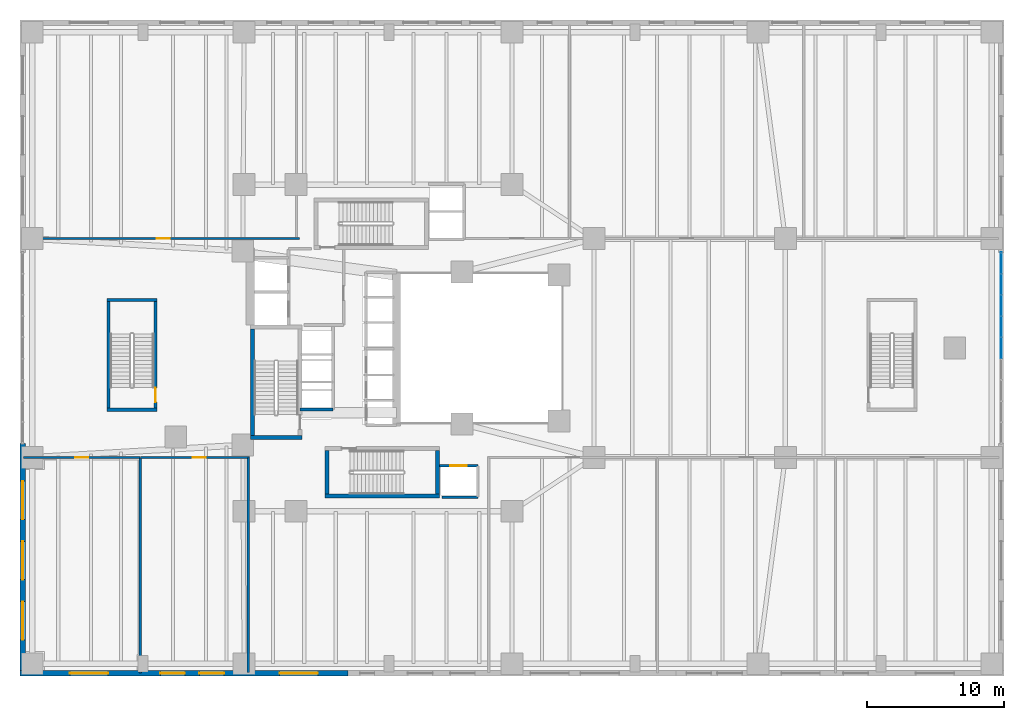
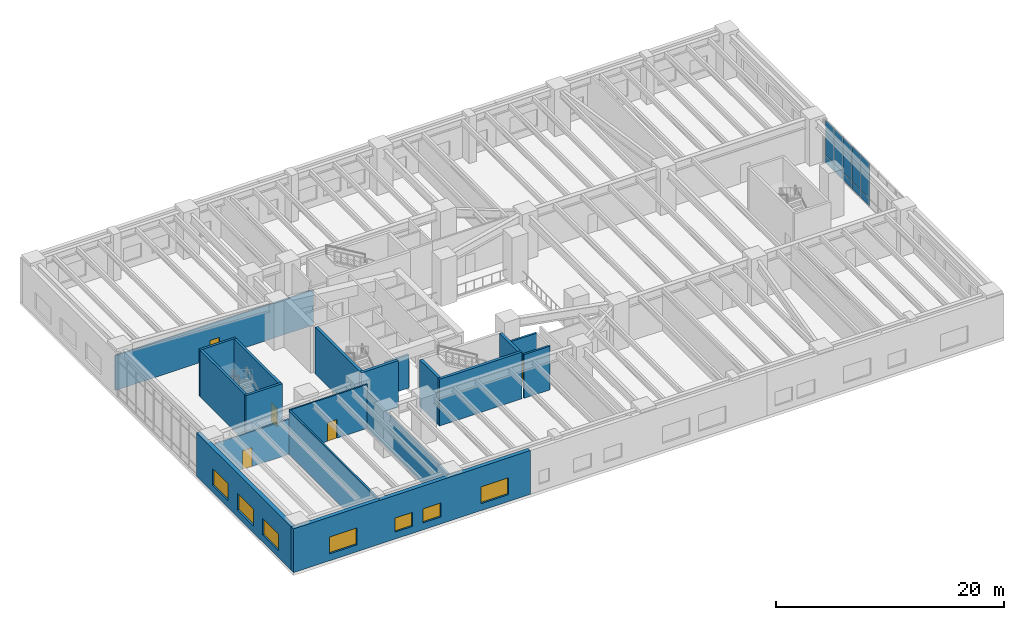
# One storey, part 12 of 18: 19 walls, 15 plates, 7 windows, 5 doors, 12 openings, 1 element without a shape of its own.
"""IFC4 building model written with IfcOpenShell, lengths in metres."""

from ifc_helpers import new_model, si_unit, direction, frame, frame_2d, origin, origin_2d, place, context, subcontext, project, spatial, rectangle, extrude, material, layer, layer_set, type_object, element, fill, aggregate, save


model = new_model("IFC4")

# Units and contexts
model_context = context("Model", 3, precision=1e-05, world=origin(), true_north=direction((0.0, 1.0)))
body_context = subcontext(model_context, "Body", "Model", "MODEL_VIEW")
ifc_project = project(units=[si_unit("LENGTHUNIT", "METRE"), si_unit("AREAUNIT", "SQUARE_METRE"), si_unit("VOLUMEUNIT", "CUBIC_METRE"), si_unit("PLANEANGLEUNIT", "RADIAN"), si_unit("MASSUNIT", "GRAM", prefix="KILO"), si_unit("THERMODYNAMICTEMPERATUREUNIT", "KELVIN"), si_unit("POWERUNIT", "WATT")], contexts=[model_context])

# Site, building, storey
site_placement = place(None, origin())
site = spatial("IfcSite", under=ifc_project, at=site_placement, CompositionType="ELEMENT")
building_placement = place(site_placement, origin())
building = spatial("IfcBuilding", under=site, at=building_placement, Name="Skarre Station Tower", CompositionType="ELEMENT")
storey_placement = place(building_placement, frame((0.0, 0.0, 11.0)))
storey = spatial("IfcBuildingStorey", under=building, at=storey_placement, Name="L03", CompositionType="ELEMENT", Elevation=11.0)

# Curtain wall, plates
ifc_material_1 = material(Name="Thermally Broken Bronze-Anodized Aluminium & Triple Low-E Glass", Category="aluminium")
ifc_layer_1 = layer(ifc_material_1, 0.239990234375, Name="Thermally Broken Bronze-Anodized Aluminium & Triple Low-E Glass")
ifc_layer_set_1 = layer_set([ifc_layer_1], Name="Thermally Broken Bronze-Anodized Aluminium & Triple Low-E Glass")
curtain_wall_type = type_object("IfcCurtainWallType", Name="Station Concourse Monumental Unitised Curtain Wall", PredefinedType="NOTDEFINED", material=ifc_layer_set_1)
curtain_wall_placement = place(storey_placement, origin())
curtain_wall = element("IfcCurtainWall", 1, at=curtain_wall_placement, inside=storey, type_object=curtain_wall_type, Name="L03 East Forum Clerestory Curtain Wall", PredefinedType="NOTDEFINED")
ifc_material_2 = material(Name="Insulated Bronze Anodized Aluminium Spandrel", Category="aluminium")
ifc_layer_2 = layer(ifc_material_2, 0.052001953125, Name="Insulated Bronze Anodized Aluminium Spandrel")
ifc_layer_set_2 = layer_set([ifc_layer_2], Name="Insulated Bronze Anodized Aluminium Spandrel")
plate_type_1 = type_object("IfcPlateType", Name="Bronze Insulated Spandrel Sheet Panel 52", PredefinedType="SHEET", material=ifc_layer_set_2)
plate_1_placement = place(storey_placement, frame((71.800048828125, 30.221923828125, 0.05224609375), z_axis=(0.0, 0.0, 1.0), x_axis=(0.0, -1.0, 0.0)))
plate_1 = element("IfcPlate", 2, at=plate_1_placement, type_object=plate_type_1, Name="L03 East Forum Clerestory Curtain Wall Spandrel Panel 1-1", PredefinedType="SHEET", context=body_context, shape_type="SweptSolid", body=[
    extrude(rectangle(XDim=1.531982421875, YDim=0.052001953125, at=origin_2d()), origin(), (0.0, 0.0, 1.0), 0.785888671875),
])
plate_2_placement = place(storey_placement, frame((71.800048828125, 28.6669921875, 0.05224609375), z_axis=(0.0, 0.0, 1.0), x_axis=(0.0, -1.0, 0.0)))
plate_2 = element("IfcPlate", 3, at=plate_2_placement, type_object=plate_type_1, Name="L03 East Forum Clerestory Curtain Wall Spandrel Panel 2-1", PredefinedType="SHEET", context=body_context, shape_type="SweptSolid", body=[
    extrude(rectangle(XDim=1.531982421875, YDim=0.052001953125, at=origin_2d()), origin(), (0.0, 0.0, 1.0), 0.785888671875),
])
plate_3_placement = place(storey_placement, frame((71.800048828125, 27.111083984375, 0.05224609375), z_axis=(0.0, 0.0, 1.0), x_axis=(0.0, -1.0, 0.0)))
plate_3 = element("IfcPlate", 4, at=plate_3_placement, type_object=plate_type_1, Name="L03 East Forum Clerestory Curtain Wall Spandrel Panel 3-1", PredefinedType="SHEET", context=body_context, shape_type="SweptSolid", body=[
    extrude(rectangle(XDim=1.531982421875, YDim=0.052001953125, at=origin_2d()), origin(), (0.0, 0.0, 1.0), 0.785888671875),
])
plate_4_placement = place(storey_placement, frame((71.800048828125, 25.555908203125, 0.05224609375), z_axis=(0.0, 0.0, 1.0), x_axis=(0.0, -1.0, 0.0)))
plate_4 = element("IfcPlate", 5, at=plate_4_placement, type_object=plate_type_1, Name="L03 East Forum Clerestory Curtain Wall Spandrel Panel 4-1", PredefinedType="SHEET", context=body_context, shape_type="SweptSolid", body=[
    extrude(rectangle(XDim=1.531982421875, YDim=0.052001953125, at=origin_2d()), origin(), (0.0, 0.0, 1.0), 0.785888671875),
])
plate_5_placement = place(storey_placement, frame((71.800048828125, 24.0, 0.05224609375), z_axis=(0.0, 0.0, 1.0), x_axis=(0.0, -1.0, 0.0)))
plate_5 = element("IfcPlate", 6, at=plate_5_placement, type_object=plate_type_1, Name="L03 East Forum Clerestory Curtain Wall Spandrel Panel 5-1", PredefinedType="SHEET", context=body_context, shape_type="SweptSolid", body=[
    extrude(rectangle(XDim=1.531982421875, YDim=0.052001953125, at=origin_2d()), origin(), (0.0, 0.0, 1.0), 0.785888671875),
])
ifc_material_3 = material(Name="Low-Iron Triple Insulating Glass Unit", Category="glass")
ifc_layer_3 = layer(ifc_material_3, 0.0439453125, Name="Low-Iron Triple Insulating Glass Unit")
ifc_layer_set_3 = layer_set([ifc_layer_3], Name="Low-Iron Triple Insulating Glass Unit")
plate_type_2 = type_object("IfcPlateType", Name="Triple-Glazed Vision Curtain Panel 44", PredefinedType="CURTAIN_PANEL", material=ifc_layer_set_3)
plate_6_placement = place(storey_placement, frame((71.800048828125, 30.221923828125, 0.862060546875), z_axis=(0.0, 0.0, 1.0), x_axis=(0.0, -1.0, 0.0)))
plate_6 = element("IfcPlate", 7, at=plate_6_placement, type_object=plate_type_2, Name="L03 East Forum Clerestory Curtain Wall Vision Panel 1-2", PredefinedType="CURTAIN_PANEL", context=body_context, shape_type="SweptSolid", body=[
    extrude(rectangle(XDim=1.531982421875, YDim=0.0439453125, at=origin_2d()), origin(), (0.0, 0.0, 1.0), 2.916015625),
])
plate_7_placement = place(storey_placement, frame((71.800048828125, 30.221923828125, 3.802001953125), z_axis=(0.0, 0.0, 1.0), x_axis=(0.0, -1.0, 0.0)))
plate_7 = element("IfcPlate", 8, at=plate_7_placement, type_object=plate_type_2, Name="L03 East Forum Clerestory Curtain Wall Vision Panel 1-3", PredefinedType="CURTAIN_PANEL", context=body_context, shape_type="SweptSolid", body=[
    extrude(rectangle(XDim=1.531982421875, YDim=0.0439453125, at=origin_2d()), origin(), (0.0, 0.0, 1.0), 0.8359375),
])
plate_8_placement = place(storey_placement, frame((71.800048828125, 28.6669921875, 0.862060546875), z_axis=(0.0, 0.0, 1.0), x_axis=(0.0, -1.0, 0.0)))
plate_8 = element("IfcPlate", 9, at=plate_8_placement, type_object=plate_type_2, Name="L03 East Forum Clerestory Curtain Wall Vision Panel 2-2", PredefinedType="CURTAIN_PANEL", context=body_context, shape_type="SweptSolid", body=[
    extrude(rectangle(XDim=1.531982421875, YDim=0.0439453125, at=origin_2d()), origin(), (0.0, 0.0, 1.0), 2.916015625),
])
plate_9_placement = place(storey_placement, frame((71.800048828125, 28.6669921875, 3.802001953125), z_axis=(0.0, 0.0, 1.0), x_axis=(0.0, -1.0, 0.0)))
plate_9 = element("IfcPlate", 10, at=plate_9_placement, type_object=plate_type_2, Name="L03 East Forum Clerestory Curtain Wall Vision Panel 2-3", PredefinedType="CURTAIN_PANEL", context=body_context, shape_type="SweptSolid", body=[
    extrude(rectangle(XDim=1.531982421875, YDim=0.0439453125, at=origin_2d()), origin(), (0.0, 0.0, 1.0), 0.8359375),
])
plate_10_placement = place(storey_placement, frame((71.800048828125, 27.111083984375, 0.862060546875), z_axis=(0.0, 0.0, 1.0), x_axis=(0.0, -1.0, 0.0)))
plate_10 = element("IfcPlate", 11, at=plate_10_placement, type_object=plate_type_2, Name="L03 East Forum Clerestory Curtain Wall Vision Panel 3-2", PredefinedType="CURTAIN_PANEL", context=body_context, shape_type="SweptSolid", body=[
    extrude(rectangle(XDim=1.531982421875, YDim=0.0439453125, at=origin_2d()), origin(), (0.0, 0.0, 1.0), 2.916015625),
])
plate_11_placement = place(storey_placement, frame((71.800048828125, 27.111083984375, 3.802001953125), z_axis=(0.0, 0.0, 1.0), x_axis=(0.0, -1.0, 0.0)))
plate_11 = element("IfcPlate", 12, at=plate_11_placement, type_object=plate_type_2, Name="L03 East Forum Clerestory Curtain Wall Vision Panel 3-3", PredefinedType="CURTAIN_PANEL", context=body_context, shape_type="SweptSolid", body=[
    extrude(rectangle(XDim=1.531982421875, YDim=0.0439453125, at=origin_2d()), origin(), (0.0, 0.0, 1.0), 0.8359375),
])
plate_12_placement = place(storey_placement, frame((71.800048828125, 25.555908203125, 0.862060546875), z_axis=(0.0, 0.0, 1.0), x_axis=(0.0, -1.0, 0.0)))
plate_12 = element("IfcPlate", 13, at=plate_12_placement, type_object=plate_type_2, Name="L03 East Forum Clerestory Curtain Wall Vision Panel 4-2", PredefinedType="CURTAIN_PANEL", context=body_context, shape_type="SweptSolid", body=[
    extrude(rectangle(XDim=1.531982421875, YDim=0.0439453125, at=origin_2d()), origin(), (0.0, 0.0, 1.0), 2.916015625),
])
plate_13_placement = place(storey_placement, frame((71.800048828125, 25.555908203125, 3.802001953125), z_axis=(0.0, 0.0, 1.0), x_axis=(0.0, -1.0, 0.0)))
plate_13 = element("IfcPlate", 14, at=plate_13_placement, type_object=plate_type_2, Name="L03 East Forum Clerestory Curtain Wall Vision Panel 4-3", PredefinedType="CURTAIN_PANEL", context=body_context, shape_type="SweptSolid", body=[
    extrude(rectangle(XDim=1.531982421875, YDim=0.0439453125, at=origin_2d()), origin(), (0.0, 0.0, 1.0), 0.8359375),
])
plate_14_placement = place(storey_placement, frame((71.800048828125, 24.0, 0.862060546875), z_axis=(0.0, 0.0, 1.0), x_axis=(0.0, -1.0, 0.0)))
plate_14 = element("IfcPlate", 15, at=plate_14_placement, type_object=plate_type_2, Name="L03 East Forum Clerestory Curtain Wall Vision Panel 5-2", PredefinedType="CURTAIN_PANEL", context=body_context, shape_type="SweptSolid", body=[
    extrude(rectangle(XDim=1.531982421875, YDim=0.0439453125, at=origin_2d()), origin(), (0.0, 0.0, 1.0), 2.916015625),
])
plate_15_placement = place(storey_placement, frame((71.800048828125, 24.0, 3.802001953125), z_axis=(0.0, 0.0, 1.0), x_axis=(0.0, -1.0, 0.0)))
plate_15 = element("IfcPlate", 16, at=plate_15_placement, type_object=plate_type_2, Name="L03 East Forum Clerestory Curtain Wall Vision Panel 5-3", PredefinedType="CURTAIN_PANEL", context=body_context, shape_type="SweptSolid", body=[
    extrude(rectangle(XDim=1.531982421875, YDim=0.0439453125, at=origin_2d()), origin(), (0.0, 0.0, 1.0), 0.8359375),
])
aggregate(curtain_wall, [plate_1, plate_6, plate_7, plate_2, plate_8, plate_9, plate_3, plate_10, plate_11, plate_4, plate_12, plate_13, plate_5, plate_14, plate_15])

# Wall, opening, door
ifc_material_4 = material(Name="Acoustic Steel-Stud Gypsum Partition", Category="steel")
ifc_layer_4 = layer(ifc_material_4, 0.14990234375, Name="Acoustic Steel-Stud Gypsum Partition")
ifc_layer_set_4 = layer_set([ifc_layer_4], Name="Acoustic Steel-Stud Gypsum Partition")
wall_type_1 = type_object("IfcWallType", Name="Fire-Rated Corridor Acoustic Partition 150", PredefinedType="PARTITIONING", material=ifc_layer_set_4)
wall_1_placement = place(storey_placement, frame((0.239990234375, 15.97998046875, 0.0), z_axis=(0.0, 0.0, 1.0), x_axis=(1.0, 0.0, 0.0)))
wall_1 = element("IfcWall", 17, at=wall_1_placement, inside=storey, type_object=wall_type_1, Name="L03 Interior Partition WL-PT-L03-PDSW1-CW", PredefinedType="PARTITIONING", context=body_context, shape_type="SweptSolid", body=[
    extrude(rectangle(XDim=8.532958984375, YDim=0.14990234375, at=frame_2d((4.2666015625, 0.0))), origin(), (0.0, 0.0, 1.0), 3.741943359375),
])
opening_1_placement = place(wall_1_placement, frame((3.787109375, 0.0, 0.0)))
opening_1 = element("IfcOpeningElement", 18, at=opening_1_placement, cuts=wall_1, Name="Opening DR-FD60", PredefinedType="OPENING", context=body_context, shape_type="SweptSolid", body=[
    extrude(rectangle(XDim=0.9599609375, YDim=2.0, at=frame_2d((0.47998046875, 1.0))), frame((0.0, 0.0849609375, 0.0), z_axis=(0.0, -1.0, 0.0), x_axis=(1.0, 0.0, 0.0)), (0.0, 0.0, 1.0), 0.169921875),
])
ifc_material_5 = material(Name="Nordic White-Oak Veneer Solid-Core Fire Leaf", Category="wood")
door_type_1 = type_object("IfcDoorType", Name="Corridor Suite Entry Fire Door FD60 960x2150", OperationType="SINGLE_SWING_LEFT", PredefinedType="DOOR", material=ifc_material_5)
door_1_placement = place(opening_1_placement, origin())
door_1 = element("IfcDoor", 19, at=door_1_placement, inside=storey, type_object=door_type_1, Name="L03 PDSW1 Entry Door", OperationType="SINGLE_SWING_LEFT", OverallHeight=2.0, OverallWidth=0.9599609375, PredefinedType="DOOR", context=body_context, shape_type="SweptSolid", body=[
    extrude(rectangle(XDim=0.9599609375, YDim=2.0, at=frame_2d((0.47998046875, 1.0))), frame((0.0, 0.02490234375, 0.0), z_axis=(0.0, -1.0, 0.0), x_axis=(1.0, 0.0, 0.0)), (0.0, 0.0, 1.0), 0.050048828125),
])
fill(opening_1, door_1)

wall_2_placement = place(storey_placement, frame((8.824951171875, 15.97998046875, 0.0), z_axis=(0.0, 0.0, 1.0), x_axis=(1.0, 0.0, 0.0)))
wall_2 = element("IfcWall", 20, at=wall_2_placement, inside=storey, type_object=wall_type_1, Name="L03 Interior Partition WL-PT-L03-PDSW2-CW", PredefinedType="PARTITIONING", context=body_context, shape_type="SweptSolid", body=[
    extrude(rectangle(XDim=7.875, YDim=0.14990234375, at=frame_2d((3.9375, 0.0))), origin(), (0.0, 0.0, 1.0), 4.68994140625),
])
opening_2_placement = place(wall_2_placement, frame((3.80810546875, 0.0, 0.0)))
opening_2 = element("IfcOpeningElement", 21, at=opening_2_placement, cuts=wall_2, Name="Opening DR-FD60", PredefinedType="OPENING", context=body_context, shape_type="SweptSolid", body=[
    extrude(rectangle(XDim=0.9599609375, YDim=2.0, at=frame_2d((0.47998046875, 1.0))), frame((0.0, 0.0849609375, 0.0), z_axis=(0.0, -1.0, 0.0), x_axis=(1.0, 0.0, 0.0)), (0.0, 0.0, 1.0), 0.169921875),
])
door_2_placement = place(opening_2_placement, origin())
door_2 = element("IfcDoor", 22, at=door_2_placement, inside=storey, type_object=door_type_1, Name="L03 PDSW2 Entry Door", OperationType="SINGLE_SWING_LEFT", OverallHeight=2.0, OverallWidth=0.9599609375, PredefinedType="DOOR", context=body_context, shape_type="SweptSolid", body=[
    extrude(rectangle(XDim=0.9599609375, YDim=2.0, at=frame_2d((0.47998046875, 1.0))), frame((0.0, 0.02490234375, 0.0), z_axis=(0.0, -1.0, 0.0), x_axis=(1.0, 0.0, 0.0)), (0.0, 0.0, 1.0), 0.050048828125),
])
fill(opening_2, door_2)

wall_3_placement = place(storey_placement, frame((20.449951171875, 32.02001953125, 0.0), z_axis=(0.0, 0.0, 1.0), x_axis=(-1.0, 0.0, 0.0)))
wall_3 = element("IfcWall", 23, at=wall_3_placement, inside=storey, type_object=wall_type_1, Name="L03 Interior Partition WL-PT-L03-PDN1-CW", PredefinedType="PARTITIONING", context=body_context, shape_type="SweptSolid", body=[
    extrude(rectangle(XDim=20.054931640625, YDim=0.14990234375, at=frame_2d((10.02734375, 0.0))), origin(), (0.0, 0.0, 1.0), 3.741943359375),
])
opening_3_placement = place(wall_3_placement, frame((9.5, 0.0, 0.0)))
opening_3 = element("IfcOpeningElement", 24, at=opening_3_placement, cuts=wall_3, Name="Opening DR-FD60", PredefinedType="OPENING", context=body_context, shape_type="SweptSolid", body=[
    extrude(rectangle(XDim=0.9599609375, YDim=2.0, at=frame_2d((0.47998046875, 1.0))), frame((0.0, 0.0849609375, 0.0), z_axis=(0.0, -1.0, 0.0), x_axis=(1.0, 0.0, 0.0)), (0.0, 0.0, 1.0), 0.169921875),
])
door_3_placement = place(opening_3_placement, origin())
door_3 = element("IfcDoor", 25, at=door_3_placement, inside=storey, type_object=door_type_1, Name="L03 PDN1 Entry Door", OperationType="SINGLE_SWING_LEFT", OverallHeight=2.0, OverallWidth=0.9599609375, PredefinedType="DOOR", context=body_context, shape_type="SweptSolid", body=[
    extrude(rectangle(XDim=0.9599609375, YDim=2.0, at=frame_2d((0.47998046875, 1.0))), frame((0.0, 0.02490234375, 0.0), z_axis=(0.0, -1.0, 0.0), x_axis=(1.0, 0.0, 0.0)), (0.0, 0.0, 1.0), 0.050048828125),
])
fill(opening_3, door_3)

# Wall, openings, windows
ifc_material_6 = material(Name="Precast concrete C45/55", Category="concrete")
ifc_layer_5 = layer(ifc_material_6, 0.39990234375, Name="Precast concrete C45/55")
ifc_layer_set_5 = layer_set([ifc_layer_5], Name="Precast concrete C45/55")
wall_type_2 = type_object("IfcWallType", Name="Nordic Granite Station Podium Wall 400", PredefinedType="STANDARD", material=ifc_layer_set_5)
wall_4_placement = place(storey_placement, frame((24.0, 0.199951171875, 0.0), z_axis=(0.0, 0.0, 1.0), x_axis=(-1.0, 0.0, 0.0)))
wall_4 = element("IfcWall", 26, at=wall_4_placement, inside=storey, type_object=wall_type_2, Name="L03 South Podium Granite Wall SC", PredefinedType="STANDARD", context=body_context, shape_type="SweptSolid", body=[
    extrude(rectangle(XDim=24.0, YDim=0.39990234375, at=frame_2d((12.0, 0.0))), origin(), (0.0, 0.0, 1.0), 4.68994140625),
])
opening_4_placement = place(wall_4_placement, frame((2.205078125, 0.0, 0.75)))
opening_4 = element("IfcOpeningElement", 27, at=opening_4_placement, cuts=wall_4, Name="Opening WN-POD", PredefinedType="OPENING", context=body_context, shape_type="SweptSolid", body=[
    extrude(rectangle(XDim=2.800048828125, YDim=1.800048828125, at=frame_2d((1.39990234375, 0.89990234375))), frame((0.0, 0.2099609375, 0.0), z_axis=(0.0, -1.0, 0.0), x_axis=(1.0, 0.0, 0.0)), (0.0, 0.0, 1.0), 0.419921875),
])
opening_5_placement = place(wall_4_placement, frame((9.070068359375, 0.0, 0.75)))
opening_5 = element("IfcOpeningElement", 28, at=opening_5_placement, cuts=wall_4, Name="Opening WN-Z1A", PredefinedType="OPENING", context=body_context, shape_type="SweptSolid", body=[
    extrude(rectangle(XDim=1.800048828125, YDim=1.5, at=frame_2d((0.89990234375, 0.75))), frame((0.0, 0.2099609375, 0.0), z_axis=(0.0, -1.0, 0.0), x_axis=(1.0, 0.0, 0.0)), (0.0, 0.0, 1.0), 0.419921875),
])
opening_6_placement = place(wall_4_placement, frame((11.929931640625, 0.0, 0.75)))
opening_6 = element("IfcOpeningElement", 29, at=opening_6_placement, cuts=wall_4, Name="Opening WN-Z1A", PredefinedType="OPENING", context=body_context, shape_type="SweptSolid", body=[
    extrude(rectangle(XDim=1.800048828125, YDim=1.5, at=frame_2d((0.89990234375, 0.75))), frame((0.0, 0.2099609375, 0.0), z_axis=(0.0, -1.0, 0.0), x_axis=(1.0, 0.0, 0.0)), (0.0, 0.0, 1.0), 0.419921875),
])
opening_7_placement = place(wall_4_placement, frame((17.550048828125, 0.0, 0.75)))
opening_7 = element("IfcOpeningElement", 30, at=opening_7_placement, cuts=wall_4, Name="Opening WN-POD", PredefinedType="OPENING", context=body_context, shape_type="SweptSolid", body=[
    extrude(rectangle(XDim=2.800048828125, YDim=1.800048828125, at=frame_2d((1.39990234375, 0.89990234375))), frame((0.0, 0.2099609375, 0.0), z_axis=(0.0, -1.0, 0.0), x_axis=(1.0, 0.0, 0.0)), (0.0, 0.0, 1.0), 0.419921875),
])
ifc_material_7 = material(Name="Low-Iron Triple Glazing with Bronze Anodized Frame", Category="glass")
window_type_1 = type_object("IfcWindowType", Name="Nordic Punched Triple-Glazed Window 1800x1500", PartitioningType="SINGLE_PANEL", PredefinedType="WINDOW", material=ifc_material_7)
window_1_placement = place(opening_5_placement, origin())
window_1 = element("IfcWindow", 31, at=window_1_placement, inside=storey, type_object=window_type_1, Name="L03 Facade Window WL-POD-L03-SC-2", OverallHeight=1.5, OverallWidth=1.800048828125, PartitioningType="SINGLE_PANEL", PredefinedType="WINDOW", context=body_context, shape_type="SweptSolid", body=[
    extrude(rectangle(XDim=1.800048828125, YDim=1.5, at=frame_2d((0.89990234375, 0.75))), frame((0.0, 0.030029296875, 0.0), z_axis=(0.0, -1.0, 0.0), x_axis=(1.0, 0.0, 0.0)), (0.0, 0.0, 1.0), 0.06005859375),
])
fill(opening_5, window_1)
window_2_placement = place(opening_6_placement, origin())
window_2 = element("IfcWindow", 32, at=window_2_placement, inside=storey, type_object=window_type_1, Name="L03 Facade Window WL-POD-L03-SC-3", OverallHeight=1.5, OverallWidth=1.800048828125, PartitioningType="SINGLE_PANEL", PredefinedType="WINDOW", context=body_context, shape_type="SweptSolid", body=[
    extrude(rectangle(XDim=1.800048828125, YDim=1.5, at=frame_2d((0.89990234375, 0.75))), frame((0.0, 0.030029296875, 0.0), z_axis=(0.0, -1.0, 0.0), x_axis=(1.0, 0.0, 0.0)), (0.0, 0.0, 1.0), 0.06005859375),
])
fill(opening_6, window_2)
window_type_2 = type_object("IfcWindowType", Name="Podium Clerestory Ribbon Window 2800x1800", PartitioningType="SINGLE_PANEL", PredefinedType="WINDOW", material=ifc_material_7)
window_3_placement = place(opening_4_placement, origin())
window_3 = element("IfcWindow", 33, at=window_3_placement, inside=storey, type_object=window_type_2, Name="L03 Facade Window WL-POD-L03-SC-1", OverallHeight=1.800048828125, OverallWidth=2.800048828125, PartitioningType="SINGLE_PANEL", PredefinedType="WINDOW", context=body_context, shape_type="SweptSolid", body=[
    extrude(rectangle(XDim=2.800048828125, YDim=1.800048828125, at=frame_2d((1.39990234375, 0.89990234375))), frame((0.0, 0.030029296875, 0.0), z_axis=(0.0, -1.0, 0.0), x_axis=(1.0, 0.0, 0.0)), (0.0, 0.0, 1.0), 0.06005859375),
])
fill(opening_4, window_3)
window_4_placement = place(opening_7_placement, origin())
window_4 = element("IfcWindow", 34, at=window_4_placement, inside=storey, type_object=window_type_2, Name="L03 Facade Window WL-POD-L03-SC-4", OverallHeight=1.800048828125, OverallWidth=2.800048828125, PartitioningType="SINGLE_PANEL", PredefinedType="WINDOW", context=body_context, shape_type="SweptSolid", body=[
    extrude(rectangle(XDim=2.800048828125, YDim=1.800048828125, at=frame_2d((1.39990234375, 0.89990234375))), frame((0.0, 0.030029296875, 0.0), z_axis=(0.0, -1.0, 0.0), x_axis=(1.0, 0.0, 0.0)), (0.0, 0.0, 1.0), 0.06005859375),
])
fill(opening_7, window_4)

wall_5_placement = place(storey_placement, frame((0.199951171875, 0.39990234375, 0.0), z_axis=(0.0, 0.0, 1.0), x_axis=(0.0, 1.0, 0.0)))
wall_5 = element("IfcWall", 35, at=wall_5_placement, inside=storey, type_object=wall_type_2, Name="L03 Podium Granite Wall WA", PredefinedType="STANDARD", context=body_context, shape_type="SweptSolid", body=[
    extrude(rectangle(XDim=16.60009765625, YDim=0.39990234375, at=frame_2d((8.300048828125, 0.0))), origin(), (0.0, 0.0, 1.0), 4.68994140625),
])
opening_8_placement = place(wall_5_placement, frame((2.242919921875, 0.0, 0.75)))
opening_8 = element("IfcOpeningElement", 36, at=opening_8_placement, cuts=wall_5, Name="Opening WN-POD", PredefinedType="OPENING", context=body_context, shape_type="SweptSolid", body=[
    extrude(rectangle(XDim=2.800048828125, YDim=1.800048828125, at=frame_2d((1.39990234375, 0.89990234375))), frame((0.0, 0.2099609375, 0.0), z_axis=(0.0, -1.0, 0.0), x_axis=(1.0, 0.0, 0.0)), (0.0, 0.0, 1.0), 0.419921875),
])
opening_9_placement = place(wall_5_placement, frame((6.64990234375, 0.0, 0.75)))
opening_9 = element("IfcOpeningElement", 37, at=opening_9_placement, cuts=wall_5, Name="Opening WN-POD", PredefinedType="OPENING", context=body_context, shape_type="SweptSolid", body=[
    extrude(rectangle(XDim=2.800048828125, YDim=1.800048828125, at=frame_2d((1.39990234375, 0.89990234375))), frame((0.0, 0.2099609375, 0.0), z_axis=(0.0, -1.0, 0.0), x_axis=(1.0, 0.0, 0.0)), (0.0, 0.0, 1.0), 0.419921875),
])
opening_10_placement = place(wall_5_placement, frame((11.056884765625, 0.0, 0.75)))
opening_10 = element("IfcOpeningElement", 38, at=opening_10_placement, cuts=wall_5, Name="Opening WN-POD", PredefinedType="OPENING", context=body_context, shape_type="SweptSolid", body=[
    extrude(rectangle(XDim=2.800048828125, YDim=1.800048828125, at=frame_2d((1.39990234375, 0.89990234375))), frame((0.0, 0.2099609375, 0.0), z_axis=(0.0, -1.0, 0.0), x_axis=(1.0, 0.0, 0.0)), (0.0, 0.0, 1.0), 0.419921875),
])
window_5_placement = place(opening_8_placement, origin())
window_5 = element("IfcWindow", 39, at=window_5_placement, inside=storey, type_object=window_type_2, Name="L03 Facade Window WL-POD-L03-WA-1", OverallHeight=1.800048828125, OverallWidth=2.800048828125, PartitioningType="SINGLE_PANEL", PredefinedType="WINDOW", context=body_context, shape_type="SweptSolid", body=[
    extrude(rectangle(XDim=2.800048828125, YDim=1.800048828125, at=frame_2d((1.39990234375, 0.89990234375))), frame((0.0, 0.030029296875, 0.0), z_axis=(0.0, -1.0, 0.0), x_axis=(1.0, 0.0, 0.0)), (0.0, 0.0, 1.0), 0.06005859375),
])
fill(opening_8, window_5)
window_6_placement = place(opening_9_placement, origin())
window_6 = element("IfcWindow", 40, at=window_6_placement, inside=storey, type_object=window_type_2, Name="L03 Facade Window WL-POD-L03-WA-2", OverallHeight=1.800048828125, OverallWidth=2.800048828125, PartitioningType="SINGLE_PANEL", PredefinedType="WINDOW", context=body_context, shape_type="SweptSolid", body=[
    extrude(rectangle(XDim=2.800048828125, YDim=1.800048828125, at=frame_2d((1.39990234375, 0.89990234375))), frame((0.0, 0.030029296875, 0.0), z_axis=(0.0, -1.0, 0.0), x_axis=(1.0, 0.0, 0.0)), (0.0, 0.0, 1.0), 0.06005859375),
])
fill(opening_9, window_6)
window_7_placement = place(opening_10_placement, origin())
window_7 = element("IfcWindow", 41, at=window_7_placement, inside=storey, type_object=window_type_2, Name="L03 Facade Window WL-POD-L03-WA-3", OverallHeight=1.800048828125, OverallWidth=2.800048828125, PartitioningType="SINGLE_PANEL", PredefinedType="WINDOW", context=body_context, shape_type="SweptSolid", body=[
    extrude(rectangle(XDim=2.800048828125, YDim=1.800048828125, at=frame_2d((1.39990234375, 0.89990234375))), frame((0.0, 0.030029296875, 0.0), z_axis=(0.0, -1.0, 0.0), x_axis=(1.0, 0.0, 0.0)), (0.0, 0.0, 1.0), 0.06005859375),
])
fill(opening_10, window_7)

# Walls
ifc_material_8 = material(Name="Concrete C50/60", Category="concrete")
ifc_layer_6 = layer(ifc_material_8, 0.239990234375, Name="Concrete C50/60")
ifc_layer_set_6 = layer_set([ifc_layer_6], Name="Concrete C50/60")
wall_type_3 = type_object("IfcWallType", Name="RC Core Shear Wall 240", PredefinedType="SHEAR", material=ifc_layer_set_6)
for number, where, z_axis, x_axis, name in (
    (42, (6.360107421875, 19.47998046875, 0.0), (0.0, 0.0, 1.0), (1.0, 0.0, 0.0), "L03 Podium Stair ST-4 South Shear Wall"),
    (43, (10.0400390625, 27.52001953125, 0.0), (0.0, 0.0, 1.0), (-1.0, 0.0, 0.0), "L03 Podium Stair ST-4 North Shear Wall"),
):
    element("IfcWall", number, at=place(storey_placement, frame(where, z_axis=z_axis, x_axis=x_axis)), inside=storey, type_object=wall_type_3, Name=name, PredefinedType="SHEAR", context=body_context, shape_type="SweptSolid", body=[
        extrude(rectangle(XDim=3.679931640625, YDim=0.239990234375, at=frame_2d((1.83984375, 0.0))), origin(), (0.0, 0.0, 1.0), 5.0),
    ])
wall_6_placement = place(storey_placement, frame((6.47998046875, 27.39990234375, 0.0), z_axis=(0.0, 0.0, 1.0), x_axis=(0.0, -1.0, 0.0)))
element("IfcWall", 44, at=wall_6_placement, inside=storey, type_object=wall_type_3, Name="L03 Podium Stair ST-4 West Shear Wall", PredefinedType="SHEAR", context=body_context, shape_type="SweptSolid", body=[
    extrude(rectangle(XDim=7.7998046875, YDim=0.239990234375, at=frame_2d((3.89990234375, 0.0))), origin(), (0.0, 0.0, 1.0), 5.0),
])

# Wall, opening, door
wall_7_placement = place(storey_placement, frame((9.919921875, 19.60009765625, 0.0), z_axis=(0.0, 0.0, 1.0), x_axis=(0.0, 1.0, 0.0)))
wall_7 = element("IfcWall", 45, at=wall_7_placement, inside=storey, type_object=wall_type_3, Name="L03 Podium Stair ST-4 East Shear Wall", PredefinedType="SHEAR", context=body_context, shape_type="SweptSolid", body=[
    extrude(rectangle(XDim=7.7998046875, YDim=0.239990234375, at=frame_2d((3.89990234375, 0.0))), origin(), (0.0, 0.0, 1.0), 5.0),
])
opening_11_placement = place(wall_7_placement, frame((0.43994140625, 0.0, 0.0)))
opening_11 = element("IfcOpeningElement", 46, at=opening_11_placement, cuts=wall_7, Name="Opening DR-FD90", PredefinedType="OPENING", context=body_context, shape_type="SweptSolid", body=[
    extrude(rectangle(XDim=1.050048828125, YDim=2.0, at=frame_2d((0.52490234375, 1.0))), frame((0.0, 0.1298828125, 0.0), z_axis=(0.0, -1.0, 0.0), x_axis=(1.0, 0.0, 0.0)), (0.0, 0.0, 1.0), 0.260009765625),
])
ifc_material_9 = material(Name="Fire-Rated Insulated Steel Frame & Timber Core Leaf", Category="steel")
door_type_2 = type_object("IfcDoorType", Name="Stair & FSAE Lobby Fire Door FD90 1050x2150", OperationType="SINGLE_SWING_RIGHT", PredefinedType="DOOR", material=ifc_material_9)
door_4_placement = place(opening_11_placement, origin())
door_4 = element("IfcDoor", 47, at=door_4_placement, inside=storey, type_object=door_type_2, Name="L03 Podium Stair ST-4 Exit Door", OperationType="SINGLE_SWING_RIGHT", OverallHeight=2.0, OverallWidth=1.050048828125, PredefinedType="DOOR", context=body_context, shape_type="SweptSolid", body=[
    extrude(rectangle(XDim=1.050048828125, YDim=2.0, at=frame_2d((0.52490234375, 1.0))), frame((0.0, 0.02490234375, 0.0), z_axis=(0.0, -1.0, 0.0), x_axis=(1.0, 0.0, 0.0)), (0.0, 0.0, 1.0), 0.050048828125),
])
fill(opening_11, door_4)

# Walls
ifc_layer_7 = layer(ifc_material_8, 0.280029296875, Name="Concrete C50/60")
ifc_layer_set_7 = layer_set([ifc_layer_7], Name="Concrete C50/60")
wall_type_4 = type_object("IfcWallType", Name="RC Core Shear Wall 280", PredefinedType="SHEAR", material=ifc_layer_set_7)
wall_8_placement = place(storey_placement, frame((16.8701171875, 17.4599609375, 0.0), z_axis=(0.0, 0.0, 1.0), x_axis=(1.0, 0.0, 0.0)))
element("IfcWall", 48, at=wall_8_placement, inside=storey, type_object=wall_type_4, Name="L03 Stair ST-1 South Shear Wall", PredefinedType="SHEAR", context=body_context, shape_type="SweptSolid", body=[
    extrude(rectangle(XDim=3.759765625, YDim=0.280029296875, at=frame_2d((1.8798828125, 0.0))), origin(), (0.0, 0.0, 1.0), 5.0),
])
wall_9_placement = place(storey_placement, frame((17.010009765625, 25.39990234375, 0.0), z_axis=(0.0, 0.0, 1.0), x_axis=(0.0, -1.0, 0.0)))
element("IfcWall", 49, at=wall_9_placement, inside=storey, type_object=wall_type_4, Name="L03 Stair ST-1 West Shear Wall", PredefinedType="SHEAR", context=body_context, shape_type="SweptSolid", body=[
    extrude(rectangle(XDim=7.7998046875, YDim=0.280029296875, at=frame_2d((3.89990234375, 0.0))), origin(), (0.0, 0.0, 1.0), 5.0),
])
wall_10_placement = place(storey_placement, frame((22.320068359375, 13.159912109375, 0.0), z_axis=(0.0, 0.0, 1.0), x_axis=(1.0, 0.0, 0.0)))
element("IfcWall", 50, at=wall_10_placement, inside=storey, type_object=wall_type_4, Name="L03 Stair ST-2 South Shear Wall", PredefinedType="SHEAR", context=body_context, shape_type="SweptSolid", body=[
    extrude(rectangle(XDim=8.35986328125, YDim=0.280029296875, at=frame_2d((4.179931640625, 0.0))), origin(), (0.0, 0.0, 1.0), 5.0),
])
for number, where, z_axis, x_axis, name in (
    (51, (22.4599609375, 16.5, 0.0), (0.0, 0.0, 1.0), (0.0, -1.0, 0.0), "L03 Stair ST-2 West Shear Wall"),
    (52, (30.5400390625, 13.300048828125, 0.0), (0.0, 0.0, 1.0), (0.0, 1.0, 0.0), "L03 Stair ST-2 East Shear Wall"),
):
    element("IfcWall", number, at=place(storey_placement, frame(where, z_axis=z_axis, x_axis=x_axis)), inside=storey, type_object=wall_type_4, Name=name, PredefinedType="SHEAR", context=body_context, shape_type="SweptSolid", body=[
        extrude(rectangle(XDim=3.199951171875, YDim=0.280029296875, at=frame_2d((1.60009765625, 0.0))), origin(), (0.0, 0.0, 1.0), 5.0),
    ])

# Wall, opening, door
ifc_material_10 = material(Name="Gypsum Concrete Shaft Assembly C30/37", Category="concrete")
ifc_layer_8 = layer(ifc_material_10, 0.199951171875, Name="Gypsum Concrete Shaft Assembly C30/37")
ifc_layer_set_8 = layer_set([ifc_layer_8], Name="Gypsum Concrete Shaft Assembly C30/37")
wall_type_5 = type_object("IfcWallType", Name="Shaft & Core Fire Partition 200", PredefinedType="PARTITIONING", material=ifc_layer_set_8)
wall_11_placement = place(storey_placement, frame((33.5, 15.3798828125, 0.0), z_axis=(0.0, 0.0, 1.0), x_axis=(-1.0, 0.0, 0.0)))
wall_11 = element("IfcWall", 53, at=wall_11_placement, inside=storey, type_object=wall_type_5, Name="L03 Interior Partition WL-PT-L03-SV1-N", PredefinedType="PARTITIONING", context=body_context, shape_type="SweptSolid", body=[
    extrude(rectangle(XDim=2.820068359375, YDim=0.199951171875, at=frame_2d((1.41015625, 0.0))), origin(), (0.0, 0.0, 1.0), 4.68994140625),
])
opening_12_placement = place(wall_11_placement, frame((0.800048828125, 0.0, 0.0)))
opening_12 = element("IfcOpeningElement", 54, at=opening_12_placement, cuts=wall_11, Name="Opening LD-SV1", PredefinedType="OPENING", context=body_context, shape_type="SweptSolid", body=[
    extrude(rectangle(XDim=1.199951171875, YDim=2.199951171875, at=frame_2d((0.60009765625, 1.10009765625))), frame((0.0, 0.10986328125, 0.0), z_axis=(0.0, -1.0, 0.0), x_axis=(1.0, 0.0, 0.0)), (0.0, 0.0, 1.0), 0.219970703125),
])
ifc_material_11 = material(Name="Heavy-Gauge Brushed Stainless Steel Sliding Leaves", Category="steel")
door_type_3 = type_object("IfcDoorType", Name="Service Elevator Wide Sliding Landing Door 1200x2200", OperationType="SLIDING_TO_RIGHT", PredefinedType="DOOR", material=ifc_material_11)
door_5_placement = place(opening_12_placement, origin())
door_5 = element("IfcDoor", 55, at=door_5_placement, inside=storey, type_object=door_type_3, Name="L03 Service Lift LF-SV1 Landing Door", OperationType="SLIDING_TO_RIGHT", OverallHeight=2.199951171875, OverallWidth=1.199951171875, PredefinedType="DOOR", context=body_context, shape_type="SweptSolid", body=[
    extrude(rectangle(XDim=1.199951171875, YDim=2.199951171875, at=frame_2d((0.60009765625, 1.10009765625))), frame((0.0, 0.02490234375, 0.0), z_axis=(0.0, -1.0, 0.0), x_axis=(1.0, 0.0, 0.0)), (0.0, 0.0, 1.0), 0.050048828125),
])
fill(opening_12, door_5)

# Walls
wall_12_placement = place(storey_placement, frame((30.87890625, 13.080078125, 0.0), z_axis=(0.0, 0.0, 1.0), x_axis=(1.0, 0.0, 0.0)))
element("IfcWall", 56, at=wall_12_placement, inside=storey, type_object=wall_type_5, Name="L03 Interior Partition WL-PT-L03-SV1-S", PredefinedType="PARTITIONING", context=body_context, shape_type="SweptSolid", body=[
    extrude(rectangle(XDim=2.62109375, YDim=0.199951171875, at=frame_2d((1.310546875, 0.0))), origin(), (0.0, 0.0, 1.0), 4.68994140625),
])
wall_13_placement = place(storey_placement, frame((20.489990234375, 19.5, 0.0), z_axis=(0.0, 0.0, 1.0), x_axis=(1.0, 0.0, 0.0)))
element("IfcWall", 57, at=wall_13_placement, inside=storey, type_object=wall_type_5, Name="L03 Interior Partition WL-PT-L03-B3-S", PredefinedType="PARTITIONING", context=body_context, shape_type="SweptSolid", body=[
    extrude(rectangle(XDim=2.409912109375, YDim=0.199951171875, at=frame_2d((1.205078125, 0.0))), origin(), (0.0, 0.0, 1.0), 3.590087890625),
])
ifc_layer_9 = layer(ifc_material_4, 0.1650390625, Name="Acoustic Steel-Stud Gypsum Partition")
ifc_layer_set_9 = layer_set([ifc_layer_9], Name="Acoustic Steel-Stud Gypsum Partition")
wall_type_6 = type_object("IfcWallType", Name="Suite Demising Acoustic Partition 165", PredefinedType="PARTITIONING", material=ifc_layer_set_9)
wall_14_placement = place(storey_placement, frame((16.699951171875, 0.239990234375, 0.0), z_axis=(0.0, 0.0, 1.0), x_axis=(0.0, 1.0, 0.0)))
element("IfcWall", 58, at=wall_14_placement, inside=storey, type_object=wall_type_6, Name="L03 Interior Partition WL-PT-L03-PDSW-E", PredefinedType="PARTITIONING", context=body_context, shape_type="SweptSolid", body=[
    extrude(rectangle(XDim=15.81005859375, YDim=0.1650390625, at=frame_2d((7.905029296875, 0.0))), origin(), (0.0, 0.0, 1.0), 3.762939453125),
])
wall_15_placement = place(storey_placement, frame((8.799072265625, 0.22998046875, 0.0), z_axis=(0.0, 0.0, 1.0), x_axis=(0.0, 1.0, 0.0)))
element("IfcWall", 59, at=wall_15_placement, inside=storey, type_object=wall_type_6, Name="L03 Interior Partition WL-PT-L03-PDSW-P1", PredefinedType="PARTITIONING", context=body_context, shape_type="SweptSolid", body=[
    extrude(rectangle(XDim=15.679931640625, YDim=0.1650390625, at=frame_2d((7.83984375, 0.0))), origin(), (0.0, 0.0, 1.0), 4.68994140625),
])

save(model, "model.ifc")
